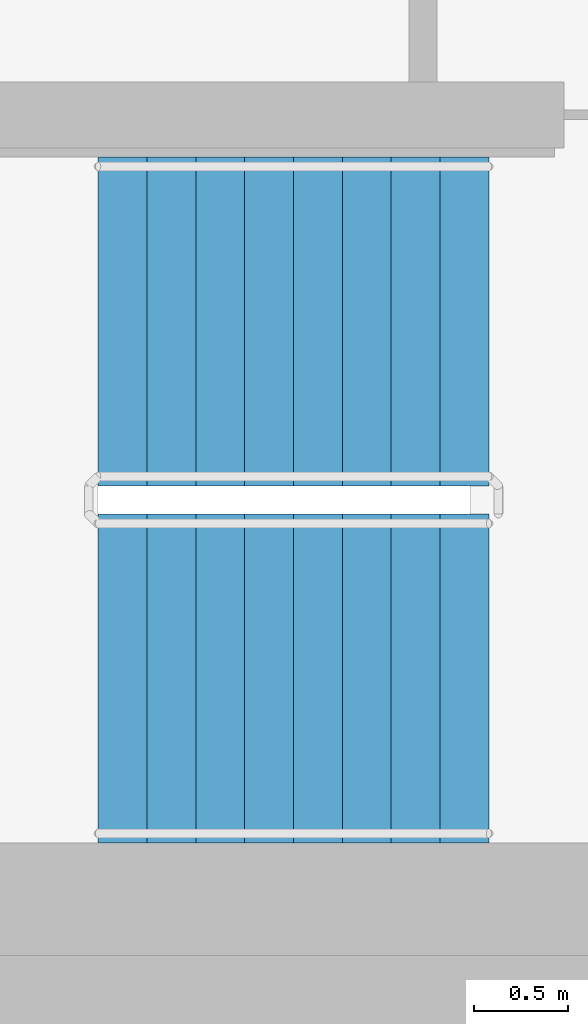
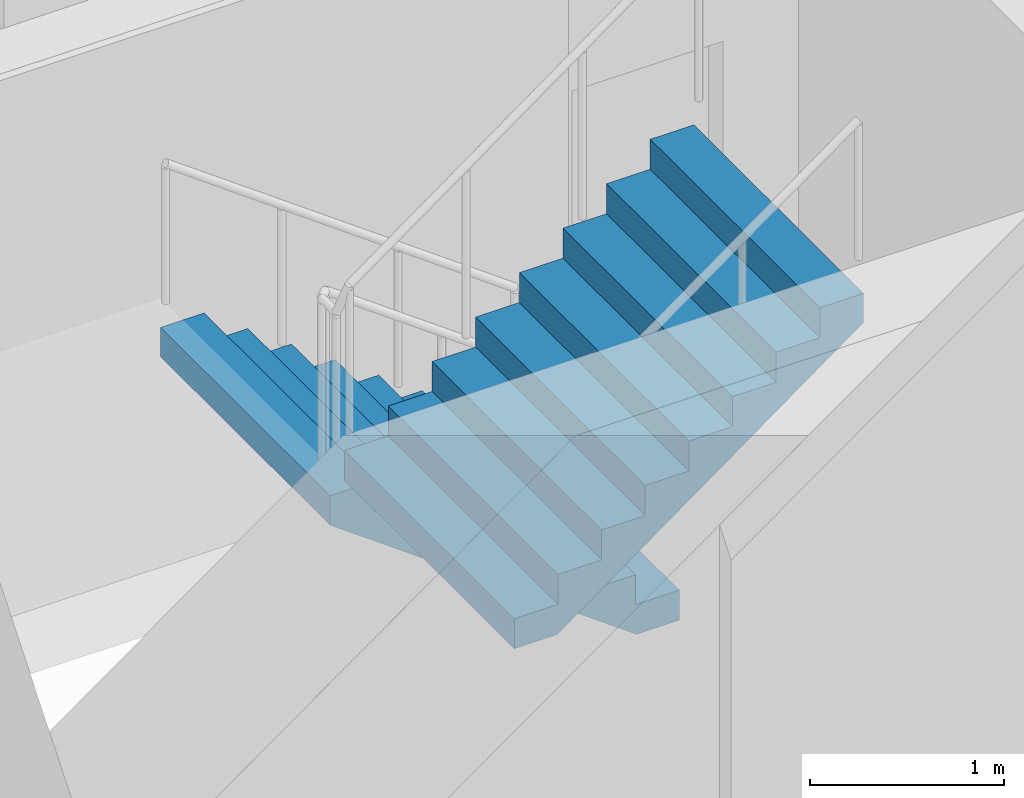
# One storey, part 12 of 18: 2 stair flights, 1 element without a shape of its own.
"""IFC4 building model written with IfcOpenShell, lengths in metres."""

from ifc_helpers import new_model, si_unit, direction, frame, origin, place, context, subcontext, project, spatial, faceted_brep, material, type_object, element, aggregate, save


model = new_model("IFC4")

# Units and contexts
model_context = context("Model", 3, precision=1e-05, world=origin(), true_north=direction((0.0, 1.0)))
body_context = subcontext(model_context, "Body", "Model", "MODEL_VIEW")
ifc_project = project(units=[si_unit("LENGTHUNIT", "METRE"), si_unit("AREAUNIT", "SQUARE_METRE"), si_unit("VOLUMEUNIT", "CUBIC_METRE"), si_unit("PLANEANGLEUNIT", "RADIAN"), si_unit("MASSUNIT", "GRAM", prefix="KILO")], contexts=[model_context])

# Site, building, storey
site_placement = place(None, origin())
site = spatial("IfcSite", under=ifc_project, at=site_placement, CompositionType="ELEMENT")
building_placement = place(site_placement, origin())
building = spatial("IfcBuilding", under=site, at=building_placement, Name="Ipe Terrace Towers", CompositionType="ELEMENT")
storey_placement = place(building_placement, frame((0.0, 0.0, 206.199951171875)))
storey = spatial("IfcBuildingStorey", under=building, at=storey_placement, Name="L57", CompositionType="ELEMENT", Elevation=206.199951171875)

# Stair, stair flights
ifc_material_1 = material(Name="Concrete C30/37", Category="concrete")
stair_type = type_object("IfcStairType", Name="Protected exit stair", PredefinedType="HALF_TURN_STAIR", material=ifc_material_1)
stair_placement = place(storey_placement, origin())
stair = element("IfcStair", 1, at=stair_placement, inside=storey, type_object=stair_type, Name="L57 Exit stair T1-C2", PredefinedType="HALF_TURN_STAIR")
ifc_material_2 = material(Name="Concrete C30/37", Category="concrete")
stair_flight_type = type_object("IfcStairFlightType", Name="Exit stair flight 1750", PredefinedType="STRAIGHT", material=ifc_material_2)
stair_flight_1_placement = place(storey_placement, frame((-45.699951171875, -2.77490234375, 0.0), z_axis=(0.0, 0.0, 1.0), x_axis=(-1.0, 0.0, 0.0)))
stair_flight_1 = element("IfcStairFlight", 2, at=stair_flight_1_placement, type_object=stair_flight_type, Name="T1-ST2 flight 1", NumberOfRisers=9, NumberOfTreads=8, PredefinedType="STRAIGHT", RiserHeight=0.188888889, TreadLength=0.26, context=body_context, shape_type="Brep", body=[
    faceted_brep([(0.255126953125, -0.875, 0.0), (2.080078125, -0.875, 1.325927734375), (2.080078125, -0.875, 1.51123046875), (1.820068359375, -0.875, 1.51123046875), (1.820068359375, -0.875, 1.322265625), (1.56005859375, -0.875, 1.322265625), (1.56005859375, -0.875, 1.13330078125), (1.300048828125, -0.875, 1.13330078125), (1.300048828125, -0.875, 0.9443359375), (1.0400390625, -0.875, 0.9443359375), (1.0400390625, -0.875, 0.755615234375), (0.780029296875, -0.875, 0.755615234375), (0.780029296875, -0.875, 0.566650390625), (0.52001953125, -0.875, 0.566650390625), (0.52001953125, -0.875, 0.377685546875), (0.260009765625, -0.875, 0.377685546875), (0.260009765625, -0.875, 0.18896484375), (0.0, -0.875, 0.18896484375), (0.0, -0.875, 0.0), (0.0, 0.875, 0.0), (0.0, 0.875, 0.18896484375), (0.260009765625, 0.875, 0.18896484375), (0.260009765625, 0.875, 0.377685546875), (0.52001953125, 0.875, 0.377685546875), (0.52001953125, 0.875, 0.566650390625), (0.780029296875, 0.875, 0.566650390625), (0.780029296875, 0.875, 0.755615234375), (1.0400390625, 0.875, 0.755615234375), (1.0400390625, 0.875, 0.9443359375), (1.300048828125, 0.875, 0.9443359375), (1.300048828125, 0.875, 1.13330078125), (1.56005859375, 0.875, 1.13330078125), (1.56005859375, 0.875, 1.322265625), (1.820068359375, 0.875, 1.322265625), (1.820068359375, 0.875, 1.51123046875), (2.080078125, 0.875, 1.51123046875), (2.080078125, 0.875, 1.325927734375), (0.255126953125, 0.875, 0.0), (0.0, -0.300048828125, 0.18896484375), (0.0, -0.1201171875, 0.18896484375), (0.0, -0.06005859375, 0.18896484375), (0.0, -0.030029296875, 0.18896484375), (0.0, -0.010009765625, 0.18896484375), (0.0, 0.0, 0.18896484375), (0.0, 0.010009765625, 0.18896484375), (0.0, 0.030029296875, 0.18896484375), (0.0, 0.06005859375, 0.18896484375), (0.0, 0.1201171875, 0.18896484375), (0.0, 0.300048828125, 0.18896484375), (0.0, 0.300048828125, 0.0), (0.0, 0.1201171875, 0.0), (0.0, 0.06005859375, 0.0), (0.0, 0.030029296875, 0.0), (0.0, 0.010009765625, 0.0), (0.0, 0.0, 0.0), (0.0, -0.010009765625, 0.0), (0.0, -0.030029296875, 0.0), (0.0, -0.06005859375, 0.0), (0.0, -0.1201171875, 0.0), (0.0, -0.300048828125, 0.0), (0.260009765625, -0.300048828125, 0.18896484375), (0.260009765625, -0.1201171875, 0.18896484375), (0.260009765625, -0.06005859375, 0.18896484375), (0.260009765625, -0.030029296875, 0.18896484375), (0.260009765625, -0.010009765625, 0.18896484375), (0.260009765625, 0.0, 0.18896484375), (0.260009765625, 0.010009765625, 0.18896484375), (0.260009765625, 0.030029296875, 0.18896484375), (0.260009765625, 0.06005859375, 0.18896484375), (0.260009765625, 0.1201171875, 0.18896484375), (0.260009765625, 0.300048828125, 0.18896484375), (0.260009765625, -0.300048828125, 0.377685546875), (0.260009765625, -0.1201171875, 0.377685546875), (0.260009765625, -0.06005859375, 0.377685546875), (0.260009765625, -0.030029296875, 0.377685546875), (0.260009765625, -0.010009765625, 0.377685546875), (0.260009765625, 0.0, 0.377685546875), (0.260009765625, 0.010009765625, 0.377685546875), (0.260009765625, 0.030029296875, 0.377685546875), (0.260009765625, 0.06005859375, 0.377685546875), (0.260009765625, 0.1201171875, 0.377685546875), (0.260009765625, 0.300048828125, 0.377685546875), (0.52001953125, -0.300048828125, 0.377685546875), (0.52001953125, -0.1201171875, 0.377685546875), (0.52001953125, -0.06005859375, 0.377685546875), (0.52001953125, -0.030029296875, 0.377685546875), (0.52001953125, -0.010009765625, 0.377685546875), (0.52001953125, 0.0, 0.377685546875), (0.52001953125, 0.010009765625, 0.377685546875), (0.52001953125, 0.030029296875, 0.377685546875), (0.52001953125, 0.06005859375, 0.377685546875), (0.52001953125, 0.1201171875, 0.377685546875), (0.52001953125, 0.300048828125, 0.377685546875), (0.52001953125, -0.300048828125, 0.566650390625), (0.52001953125, -0.1201171875, 0.566650390625), (0.52001953125, -0.06005859375, 0.566650390625), (0.52001953125, -0.030029296875, 0.566650390625), (0.52001953125, -0.010009765625, 0.566650390625), (0.52001953125, 0.0, 0.566650390625), (0.52001953125, 0.010009765625, 0.566650390625), (0.52001953125, 0.030029296875, 0.566650390625), (0.52001953125, 0.06005859375, 0.566650390625), (0.52001953125, 0.1201171875, 0.566650390625), (0.52001953125, 0.300048828125, 0.566650390625), (0.780029296875, -0.300048828125, 0.566650390625), (0.780029296875, -0.1201171875, 0.566650390625), (0.780029296875, -0.06005859375, 0.566650390625), (0.780029296875, -0.030029296875, 0.566650390625), (0.780029296875, -0.010009765625, 0.566650390625), (0.780029296875, 0.0, 0.566650390625), (0.780029296875, 0.010009765625, 0.566650390625), (0.780029296875, 0.030029296875, 0.566650390625), (0.780029296875, 0.06005859375, 0.566650390625), (0.780029296875, 0.1201171875, 0.566650390625), (0.780029296875, 0.300048828125, 0.566650390625), (0.780029296875, -0.300048828125, 0.755615234375), (0.780029296875, -0.1201171875, 0.755615234375), (0.780029296875, -0.06005859375, 0.755615234375), (0.780029296875, -0.030029296875, 0.755615234375), (0.780029296875, -0.010009765625, 0.755615234375), (0.780029296875, 0.0, 0.755615234375), (0.780029296875, 0.010009765625, 0.755615234375), (0.780029296875, 0.030029296875, 0.755615234375), (0.780029296875, 0.06005859375, 0.755615234375), (0.780029296875, 0.1201171875, 0.755615234375), (0.780029296875, 0.300048828125, 0.755615234375), (1.0400390625, -0.300048828125, 0.755615234375), (1.0400390625, -0.1201171875, 0.755615234375), (1.0400390625, -0.06005859375, 0.755615234375), (1.0400390625, -0.030029296875, 0.755615234375), (1.0400390625, -0.010009765625, 0.755615234375), (1.0400390625, 0.0, 0.755615234375), (1.0400390625, 0.010009765625, 0.755615234375), (1.0400390625, 0.030029296875, 0.755615234375), (1.0400390625, 0.06005859375, 0.755615234375), (1.0400390625, 0.1201171875, 0.755615234375), (1.0400390625, 0.300048828125, 0.755615234375), (1.0400390625, -0.300048828125, 0.9443359375), (1.0400390625, -0.1201171875, 0.9443359375), (1.0400390625, -0.06005859375, 0.9443359375), (1.0400390625, -0.030029296875, 0.9443359375), (1.0400390625, -0.010009765625, 0.9443359375), (1.0400390625, 0.0, 0.9443359375), (1.0400390625, 0.010009765625, 0.9443359375), (1.0400390625, 0.030029296875, 0.9443359375), (1.0400390625, 0.06005859375, 0.9443359375), (1.0400390625, 0.1201171875, 0.9443359375), (1.0400390625, 0.300048828125, 0.9443359375), (1.300048828125, -0.300048828125, 0.9443359375), (1.300048828125, -0.1201171875, 0.9443359375), (1.300048828125, -0.06005859375, 0.9443359375), (1.300048828125, -0.030029296875, 0.9443359375), (1.300048828125, -0.010009765625, 0.9443359375), (1.300048828125, 0.0, 0.9443359375), (1.300048828125, 0.010009765625, 0.9443359375), (1.300048828125, 0.030029296875, 0.9443359375), (1.300048828125, 0.06005859375, 0.9443359375), (1.300048828125, 0.1201171875, 0.9443359375), (1.300048828125, 0.300048828125, 0.9443359375), (1.300048828125, -0.300048828125, 1.13330078125), (1.300048828125, -0.1201171875, 1.13330078125), (1.300048828125, -0.06005859375, 1.13330078125), (1.300048828125, -0.030029296875, 1.13330078125), (1.300048828125, -0.010009765625, 1.13330078125), (1.300048828125, 0.0, 1.13330078125), (1.300048828125, 0.010009765625, 1.13330078125), (1.300048828125, 0.030029296875, 1.13330078125), (1.300048828125, 0.06005859375, 1.13330078125), (1.300048828125, 0.1201171875, 1.13330078125), (1.300048828125, 0.300048828125, 1.13330078125), (1.56005859375, -0.300048828125, 1.13330078125), (1.56005859375, -0.1201171875, 1.13330078125), (1.56005859375, -0.06005859375, 1.13330078125), (1.56005859375, -0.030029296875, 1.13330078125), (1.56005859375, -0.010009765625, 1.13330078125), (1.56005859375, 0.0, 1.13330078125), (1.56005859375, 0.010009765625, 1.13330078125), (1.56005859375, 0.030029296875, 1.13330078125), (1.56005859375, 0.06005859375, 1.13330078125), (1.56005859375, 0.1201171875, 1.13330078125), (1.56005859375, 0.300048828125, 1.13330078125), (1.56005859375, -0.300048828125, 1.322265625), (1.56005859375, -0.1201171875, 1.322265625), (1.56005859375, -0.06005859375, 1.322265625), (1.56005859375, -0.030029296875, 1.322265625), (1.56005859375, -0.010009765625, 1.322265625), (1.56005859375, 0.0, 1.322265625), (1.56005859375, 0.010009765625, 1.322265625), (1.56005859375, 0.030029296875, 1.322265625), (1.56005859375, 0.06005859375, 1.322265625), (1.56005859375, 0.1201171875, 1.322265625), (1.56005859375, 0.300048828125, 1.322265625), (1.820068359375, -0.300048828125, 1.322265625), (1.820068359375, -0.1201171875, 1.322265625), (1.820068359375, -0.06005859375, 1.322265625), (1.820068359375, -0.030029296875, 1.322265625), (1.820068359375, -0.010009765625, 1.322265625), (1.820068359375, 0.0, 1.322265625), (1.820068359375, 0.010009765625, 1.322265625), (1.820068359375, 0.030029296875, 1.322265625), (1.820068359375, 0.06005859375, 1.322265625), (1.820068359375, 0.1201171875, 1.322265625), (1.820068359375, 0.300048828125, 1.322265625), (1.820068359375, -0.300048828125, 1.51123046875), (1.820068359375, -0.1201171875, 1.51123046875), (1.820068359375, -0.06005859375, 1.51123046875), (1.820068359375, -0.030029296875, 1.51123046875), (1.820068359375, -0.010009765625, 1.51123046875), (1.820068359375, 0.0, 1.51123046875), (1.820068359375, 0.010009765625, 1.51123046875), (1.820068359375, 0.030029296875, 1.51123046875), (1.820068359375, 0.06005859375, 1.51123046875), (1.820068359375, 0.1201171875, 1.51123046875), (1.820068359375, 0.300048828125, 1.51123046875), (2.080078125, -0.300048828125, 1.51123046875), (2.080078125, -0.1201171875, 1.51123046875), (2.080078125, -0.06005859375, 1.51123046875), (2.080078125, -0.030029296875, 1.51123046875), (2.080078125, -0.010009765625, 1.51123046875), (2.080078125, 0.0, 1.51123046875), (2.080078125, 0.010009765625, 1.51123046875), (2.080078125, 0.030029296875, 1.51123046875), (2.080078125, 0.06005859375, 1.51123046875), (2.080078125, 0.1201171875, 1.51123046875), (2.080078125, 0.300048828125, 1.51123046875), (2.080078125, -0.300048828125, 1.325927734375), (2.080078125, -0.1201171875, 1.325927734375), (2.080078125, -0.06005859375, 1.325927734375), (2.080078125, -0.030029296875, 1.325927734375), (2.080078125, -0.010009765625, 1.325927734375), (2.080078125, 0.0, 1.325927734375), (2.080078125, 0.010009765625, 1.325927734375), (2.080078125, 0.030029296875, 1.325927734375), (2.080078125, 0.06005859375, 1.325927734375), (2.080078125, 0.1201171875, 1.325927734375), (2.080078125, 0.300048828125, 1.325927734375), (0.255126953125, -0.300048828125, 0.0), (0.255126953125, -0.1201171875, 0.0), (0.255126953125, -0.06005859375, 0.0), (0.255126953125, -0.030029296875, 0.0), (0.255126953125, -0.010009765625, 0.0), (0.255126953125, 0.0, 0.0), (0.255126953125, 0.010009765625, 0.0), (0.255126953125, 0.030029296875, 0.0), (0.255126953125, 0.06005859375, 0.0), (0.255126953125, 0.1201171875, 0.0), (0.255126953125, 0.300048828125, 0.0)], [[[0, 1, 2, 3, 4, 5, 6, 7, 8, 9, 10, 11, 12, 13, 14, 15, 16, 17, 18]], [[19, 20, 21, 22, 23, 24, 25, 26, 27, 28, 29, 30, 31, 32, 33, 34, 35, 36, 37]], [[17, 38, 39, 40, 41, 42, 43, 44, 45, 46, 47, 48, 20, 19, 49, 50, 51, 52, 53, 54, 55, 56, 57, 58, 59, 18]], [[16, 60, 61, 62, 63, 64, 65, 66, 67, 68, 69, 70, 21, 20, 48, 47, 46, 45, 44, 43, 42, 41, 40, 39, 38, 17]], [[15, 71, 72, 73, 74, 75, 76, 77, 78, 79, 80, 81, 22, 21, 70, 69, 68, 67, 66, 65, 64, 63, 62, 61, 60, 16]], [[14, 82, 83, 84, 85, 86, 87, 88, 89, 90, 91, 92, 23, 22, 81, 80, 79, 78, 77, 76, 75, 74, 73, 72, 71, 15]], [[13, 93, 94, 95, 96, 97, 98, 99, 100, 101, 102, 103, 24, 23, 92, 91, 90, 89, 88, 87, 86, 85, 84, 83, 82, 14]], [[12, 104, 105, 106, 107, 108, 109, 110, 111, 112, 113, 114, 25, 24, 103, 102, 101, 100, 99, 98, 97, 96, 95, 94, 93, 13]], [[11, 115, 116, 117, 118, 119, 120, 121, 122, 123, 124, 125, 26, 25, 114, 113, 112, 111, 110, 109, 108, 107, 106, 105, 104, 12]], [[10, 126, 127, 128, 129, 130, 131, 132, 133, 134, 135, 136, 27, 26, 125, 124, 123, 122, 121, 120, 119, 118, 117, 116, 115, 11]], [[9, 137, 138, 139, 140, 141, 142, 143, 144, 145, 146, 147, 28, 27, 136, 135, 134, 133, 132, 131, 130, 129, 128, 127, 126, 10]], [[8, 148, 149, 150, 151, 152, 153, 154, 155, 156, 157, 158, 29, 28, 147, 146, 145, 144, 143, 142, 141, 140, 139, 138, 137, 9]], [[7, 159, 160, 161, 162, 163, 164, 165, 166, 167, 168, 169, 30, 29, 158, 157, 156, 155, 154, 153, 152, 151, 150, 149, 148, 8]], [[6, 170, 171, 172, 173, 174, 175, 176, 177, 178, 179, 180, 31, 30, 169, 168, 167, 166, 165, 164, 163, 162, 161, 160, 159, 7]], [[5, 181, 182, 183, 184, 185, 186, 187, 188, 189, 190, 191, 32, 31, 180, 179, 178, 177, 176, 175, 174, 173, 172, 171, 170, 6]], [[4, 192, 193, 194, 195, 196, 197, 198, 199, 200, 201, 202, 33, 32, 191, 190, 189, 188, 187, 186, 185, 184, 183, 182, 181, 5]], [[3, 203, 204, 205, 206, 207, 208, 209, 210, 211, 212, 213, 34, 33, 202, 201, 200, 199, 198, 197, 196, 195, 194, 193, 192, 4]], [[2, 214, 215, 216, 217, 218, 219, 220, 221, 222, 223, 224, 35, 34, 213, 212, 211, 210, 209, 208, 207, 206, 205, 204, 203, 3]], [[1, 225, 226, 227, 228, 229, 230, 231, 232, 233, 234, 235, 36, 35, 224, 223, 222, 221, 220, 219, 218, 217, 216, 215, 214, 2]], [[0, 236, 237, 238, 239, 240, 241, 242, 243, 244, 245, 246, 37, 36, 235, 234, 233, 232, 231, 230, 229, 228, 227, 226, 225, 1]], [[18, 59, 58, 57, 56, 55, 54, 53, 52, 51, 50, 49, 19, 37, 246, 245, 244, 243, 242, 241, 240, 239, 238, 237, 236, 0]]]),
])
stair_flight_2_placement = place(storey_placement, frame((-47.780029296875, -4.675048828125, 1.699951171875), z_axis=(0.0, 0.0, 1.0), x_axis=(1.0, 0.0, 0.0)))
stair_flight_2 = element("IfcStairFlight", 3, at=stair_flight_2_placement, type_object=stair_flight_type, Name="T1-ST2 flight 2", NumberOfRisers=9, NumberOfTreads=8, PredefinedType="STRAIGHT", RiserHeight=0.188888889, TreadLength=0.26, context=body_context, shape_type="Brep", body=[
    faceted_brep([(0.255126953125, -0.875, 0.0), (2.080078125, -0.875, 1.325927734375), (2.080078125, -0.875, 1.51123046875), (1.820068359375, -0.875, 1.51123046875), (1.820068359375, -0.875, 1.322265625), (1.56005859375, -0.875, 1.322265625), (1.56005859375, -0.875, 1.13330078125), (1.300048828125, -0.875, 1.13330078125), (1.300048828125, -0.875, 0.9443359375), (1.0400390625, -0.875, 0.9443359375), (1.0400390625, -0.875, 0.755615234375), (0.780029296875, -0.875, 0.755615234375), (0.780029296875, -0.875, 0.566650390625), (0.52001953125, -0.875, 0.566650390625), (0.52001953125, -0.875, 0.377685546875), (0.260009765625, -0.875, 0.377685546875), (0.260009765625, -0.875, 0.18896484375), (0.0, -0.875, 0.18896484375), (0.0, -0.875, 0.0), (0.0, 0.875, 0.0), (0.0, 0.875, 0.18896484375), (0.260009765625, 0.875, 0.18896484375), (0.260009765625, 0.875, 0.377685546875), (0.52001953125, 0.875, 0.377685546875), (0.52001953125, 0.875, 0.566650390625), (0.780029296875, 0.875, 0.566650390625), (0.780029296875, 0.875, 0.755615234375), (1.0400390625, 0.875, 0.755615234375), (1.0400390625, 0.875, 0.9443359375), (1.300048828125, 0.875, 0.9443359375), (1.300048828125, 0.875, 1.13330078125), (1.56005859375, 0.875, 1.13330078125), (1.56005859375, 0.875, 1.322265625), (1.820068359375, 0.875, 1.322265625), (1.820068359375, 0.875, 1.51123046875), (2.080078125, 0.875, 1.51123046875), (2.080078125, 0.875, 1.325927734375), (0.255126953125, 0.875, 0.0), (0.0, -0.300048828125, 0.18896484375), (0.0, -0.1201171875, 0.18896484375), (0.0, -0.06005859375, 0.18896484375), (0.0, -0.030029296875, 0.18896484375), (0.0, -0.010009765625, 0.18896484375), (0.0, 0.0, 0.18896484375), (0.0, 0.010009765625, 0.18896484375), (0.0, 0.030029296875, 0.18896484375), (0.0, 0.06005859375, 0.18896484375), (0.0, 0.1201171875, 0.18896484375), (0.0, 0.300048828125, 0.18896484375), (0.0, 0.300048828125, 0.0), (0.0, 0.1201171875, 0.0), (0.0, 0.06005859375, 0.0), (0.0, 0.030029296875, 0.0), (0.0, 0.010009765625, 0.0), (0.0, 0.0, 0.0), (0.0, -0.010009765625, 0.0), (0.0, -0.030029296875, 0.0), (0.0, -0.06005859375, 0.0), (0.0, -0.1201171875, 0.0), (0.0, -0.300048828125, 0.0), (0.260009765625, -0.300048828125, 0.18896484375), (0.260009765625, -0.1201171875, 0.18896484375), (0.260009765625, -0.06005859375, 0.18896484375), (0.260009765625, -0.030029296875, 0.18896484375), (0.260009765625, -0.010009765625, 0.18896484375), (0.260009765625, 0.0, 0.18896484375), (0.260009765625, 0.010009765625, 0.18896484375), (0.260009765625, 0.030029296875, 0.18896484375), (0.260009765625, 0.06005859375, 0.18896484375), (0.260009765625, 0.1201171875, 0.18896484375), (0.260009765625, 0.300048828125, 0.18896484375), (0.260009765625, -0.300048828125, 0.377685546875), (0.260009765625, -0.1201171875, 0.377685546875), (0.260009765625, -0.06005859375, 0.377685546875), (0.260009765625, -0.030029296875, 0.377685546875), (0.260009765625, -0.010009765625, 0.377685546875), (0.260009765625, 0.0, 0.377685546875), (0.260009765625, 0.010009765625, 0.377685546875), (0.260009765625, 0.030029296875, 0.377685546875), (0.260009765625, 0.06005859375, 0.377685546875), (0.260009765625, 0.1201171875, 0.377685546875), (0.260009765625, 0.300048828125, 0.377685546875), (0.52001953125, -0.300048828125, 0.377685546875), (0.52001953125, -0.1201171875, 0.377685546875), (0.52001953125, -0.06005859375, 0.377685546875), (0.52001953125, -0.030029296875, 0.377685546875), (0.52001953125, -0.010009765625, 0.377685546875), (0.52001953125, 0.0, 0.377685546875), (0.52001953125, 0.010009765625, 0.377685546875), (0.52001953125, 0.030029296875, 0.377685546875), (0.52001953125, 0.06005859375, 0.377685546875), (0.52001953125, 0.1201171875, 0.377685546875), (0.52001953125, 0.300048828125, 0.377685546875), (0.52001953125, -0.300048828125, 0.566650390625), (0.52001953125, -0.1201171875, 0.566650390625), (0.52001953125, -0.06005859375, 0.566650390625), (0.52001953125, -0.030029296875, 0.566650390625), (0.52001953125, -0.010009765625, 0.566650390625), (0.52001953125, 0.0, 0.566650390625), (0.52001953125, 0.010009765625, 0.566650390625), (0.52001953125, 0.030029296875, 0.566650390625), (0.52001953125, 0.06005859375, 0.566650390625), (0.52001953125, 0.1201171875, 0.566650390625), (0.52001953125, 0.300048828125, 0.566650390625), (0.780029296875, -0.300048828125, 0.566650390625), (0.780029296875, -0.1201171875, 0.566650390625), (0.780029296875, -0.06005859375, 0.566650390625), (0.780029296875, -0.030029296875, 0.566650390625), (0.780029296875, -0.010009765625, 0.566650390625), (0.780029296875, 0.0, 0.566650390625), (0.780029296875, 0.010009765625, 0.566650390625), (0.780029296875, 0.030029296875, 0.566650390625), (0.780029296875, 0.06005859375, 0.566650390625), (0.780029296875, 0.1201171875, 0.566650390625), (0.780029296875, 0.300048828125, 0.566650390625), (0.780029296875, -0.300048828125, 0.755615234375), (0.780029296875, -0.1201171875, 0.755615234375), (0.780029296875, -0.06005859375, 0.755615234375), (0.780029296875, -0.030029296875, 0.755615234375), (0.780029296875, -0.010009765625, 0.755615234375), (0.780029296875, 0.0, 0.755615234375), (0.780029296875, 0.010009765625, 0.755615234375), (0.780029296875, 0.030029296875, 0.755615234375), (0.780029296875, 0.06005859375, 0.755615234375), (0.780029296875, 0.1201171875, 0.755615234375), (0.780029296875, 0.300048828125, 0.755615234375), (1.0400390625, -0.300048828125, 0.755615234375), (1.0400390625, -0.1201171875, 0.755615234375), (1.0400390625, -0.06005859375, 0.755615234375), (1.0400390625, -0.030029296875, 0.755615234375), (1.0400390625, -0.010009765625, 0.755615234375), (1.0400390625, 0.0, 0.755615234375), (1.0400390625, 0.010009765625, 0.755615234375), (1.0400390625, 0.030029296875, 0.755615234375), (1.0400390625, 0.06005859375, 0.755615234375), (1.0400390625, 0.1201171875, 0.755615234375), (1.0400390625, 0.300048828125, 0.755615234375), (1.0400390625, -0.300048828125, 0.9443359375), (1.0400390625, -0.1201171875, 0.9443359375), (1.0400390625, -0.06005859375, 0.9443359375), (1.0400390625, -0.030029296875, 0.9443359375), (1.0400390625, -0.010009765625, 0.9443359375), (1.0400390625, 0.0, 0.9443359375), (1.0400390625, 0.010009765625, 0.9443359375), (1.0400390625, 0.030029296875, 0.9443359375), (1.0400390625, 0.06005859375, 0.9443359375), (1.0400390625, 0.1201171875, 0.9443359375), (1.0400390625, 0.300048828125, 0.9443359375), (1.300048828125, -0.300048828125, 0.9443359375), (1.300048828125, -0.1201171875, 0.9443359375), (1.300048828125, -0.06005859375, 0.9443359375), (1.300048828125, -0.030029296875, 0.9443359375), (1.300048828125, -0.010009765625, 0.9443359375), (1.300048828125, 0.0, 0.9443359375), (1.300048828125, 0.010009765625, 0.9443359375), (1.300048828125, 0.030029296875, 0.9443359375), (1.300048828125, 0.06005859375, 0.9443359375), (1.300048828125, 0.1201171875, 0.9443359375), (1.300048828125, 0.300048828125, 0.9443359375), (1.300048828125, -0.300048828125, 1.13330078125), (1.300048828125, -0.1201171875, 1.13330078125), (1.300048828125, -0.06005859375, 1.13330078125), (1.300048828125, -0.030029296875, 1.13330078125), (1.300048828125, -0.010009765625, 1.13330078125), (1.300048828125, 0.0, 1.13330078125), (1.300048828125, 0.010009765625, 1.13330078125), (1.300048828125, 0.030029296875, 1.13330078125), (1.300048828125, 0.06005859375, 1.13330078125), (1.300048828125, 0.1201171875, 1.13330078125), (1.300048828125, 0.300048828125, 1.13330078125), (1.56005859375, -0.300048828125, 1.13330078125), (1.56005859375, -0.1201171875, 1.13330078125), (1.56005859375, -0.06005859375, 1.13330078125), (1.56005859375, -0.030029296875, 1.13330078125), (1.56005859375, -0.010009765625, 1.13330078125), (1.56005859375, 0.0, 1.13330078125), (1.56005859375, 0.010009765625, 1.13330078125), (1.56005859375, 0.030029296875, 1.13330078125), (1.56005859375, 0.06005859375, 1.13330078125), (1.56005859375, 0.1201171875, 1.13330078125), (1.56005859375, 0.300048828125, 1.13330078125), (1.56005859375, -0.300048828125, 1.322265625), (1.56005859375, -0.1201171875, 1.322265625), (1.56005859375, -0.06005859375, 1.322265625), (1.56005859375, -0.030029296875, 1.322265625), (1.56005859375, -0.010009765625, 1.322265625), (1.56005859375, 0.0, 1.322265625), (1.56005859375, 0.010009765625, 1.322265625), (1.56005859375, 0.030029296875, 1.322265625), (1.56005859375, 0.06005859375, 1.322265625), (1.56005859375, 0.1201171875, 1.322265625), (1.56005859375, 0.300048828125, 1.322265625), (1.820068359375, -0.300048828125, 1.322265625), (1.820068359375, -0.1201171875, 1.322265625), (1.820068359375, -0.06005859375, 1.322265625), (1.820068359375, -0.030029296875, 1.322265625), (1.820068359375, -0.010009765625, 1.322265625), (1.820068359375, 0.0, 1.322265625), (1.820068359375, 0.010009765625, 1.322265625), (1.820068359375, 0.030029296875, 1.322265625), (1.820068359375, 0.06005859375, 1.322265625), (1.820068359375, 0.1201171875, 1.322265625), (1.820068359375, 0.300048828125, 1.322265625), (1.820068359375, -0.300048828125, 1.51123046875), (1.820068359375, -0.1201171875, 1.51123046875), (1.820068359375, -0.06005859375, 1.51123046875), (1.820068359375, -0.030029296875, 1.51123046875), (1.820068359375, -0.010009765625, 1.51123046875), (1.820068359375, 0.0, 1.51123046875), (1.820068359375, 0.010009765625, 1.51123046875), (1.820068359375, 0.030029296875, 1.51123046875), (1.820068359375, 0.06005859375, 1.51123046875), (1.820068359375, 0.1201171875, 1.51123046875), (1.820068359375, 0.300048828125, 1.51123046875), (2.080078125, -0.300048828125, 1.51123046875), (2.080078125, -0.1201171875, 1.51123046875), (2.080078125, -0.06005859375, 1.51123046875), (2.080078125, -0.030029296875, 1.51123046875), (2.080078125, -0.010009765625, 1.51123046875), (2.080078125, 0.0, 1.51123046875), (2.080078125, 0.010009765625, 1.51123046875), (2.080078125, 0.030029296875, 1.51123046875), (2.080078125, 0.06005859375, 1.51123046875), (2.080078125, 0.1201171875, 1.51123046875), (2.080078125, 0.300048828125, 1.51123046875), (2.080078125, -0.300048828125, 1.325927734375), (2.080078125, -0.1201171875, 1.325927734375), (2.080078125, -0.06005859375, 1.325927734375), (2.080078125, -0.030029296875, 1.325927734375), (2.080078125, -0.010009765625, 1.325927734375), (2.080078125, 0.0, 1.325927734375), (2.080078125, 0.010009765625, 1.325927734375), (2.080078125, 0.030029296875, 1.325927734375), (2.080078125, 0.06005859375, 1.325927734375), (2.080078125, 0.1201171875, 1.325927734375), (2.080078125, 0.300048828125, 1.325927734375), (0.255126953125, -0.300048828125, 0.0), (0.255126953125, -0.1201171875, 0.0), (0.255126953125, -0.06005859375, 0.0), (0.255126953125, -0.030029296875, 0.0), (0.255126953125, -0.010009765625, 0.0), (0.255126953125, 0.0, 0.0), (0.255126953125, 0.010009765625, 0.0), (0.255126953125, 0.030029296875, 0.0), (0.255126953125, 0.06005859375, 0.0), (0.255126953125, 0.1201171875, 0.0), (0.255126953125, 0.300048828125, 0.0)], [[[0, 1, 2, 3, 4, 5, 6, 7, 8, 9, 10, 11, 12, 13, 14, 15, 16, 17, 18]], [[19, 20, 21, 22, 23, 24, 25, 26, 27, 28, 29, 30, 31, 32, 33, 34, 35, 36, 37]], [[17, 38, 39, 40, 41, 42, 43, 44, 45, 46, 47, 48, 20, 19, 49, 50, 51, 52, 53, 54, 55, 56, 57, 58, 59, 18]], [[16, 60, 61, 62, 63, 64, 65, 66, 67, 68, 69, 70, 21, 20, 48, 47, 46, 45, 44, 43, 42, 41, 40, 39, 38, 17]], [[15, 71, 72, 73, 74, 75, 76, 77, 78, 79, 80, 81, 22, 21, 70, 69, 68, 67, 66, 65, 64, 63, 62, 61, 60, 16]], [[14, 82, 83, 84, 85, 86, 87, 88, 89, 90, 91, 92, 23, 22, 81, 80, 79, 78, 77, 76, 75, 74, 73, 72, 71, 15]], [[13, 93, 94, 95, 96, 97, 98, 99, 100, 101, 102, 103, 24, 23, 92, 91, 90, 89, 88, 87, 86, 85, 84, 83, 82, 14]], [[12, 104, 105, 106, 107, 108, 109, 110, 111, 112, 113, 114, 25, 24, 103, 102, 101, 100, 99, 98, 97, 96, 95, 94, 93, 13]], [[11, 115, 116, 117, 118, 119, 120, 121, 122, 123, 124, 125, 26, 25, 114, 113, 112, 111, 110, 109, 108, 107, 106, 105, 104, 12]], [[10, 126, 127, 128, 129, 130, 131, 132, 133, 134, 135, 136, 27, 26, 125, 124, 123, 122, 121, 120, 119, 118, 117, 116, 115, 11]], [[9, 137, 138, 139, 140, 141, 142, 143, 144, 145, 146, 147, 28, 27, 136, 135, 134, 133, 132, 131, 130, 129, 128, 127, 126, 10]], [[8, 148, 149, 150, 151, 152, 153, 154, 155, 156, 157, 158, 29, 28, 147, 146, 145, 144, 143, 142, 141, 140, 139, 138, 137, 9]], [[7, 159, 160, 161, 162, 163, 164, 165, 166, 167, 168, 169, 30, 29, 158, 157, 156, 155, 154, 153, 152, 151, 150, 149, 148, 8]], [[6, 170, 171, 172, 173, 174, 175, 176, 177, 178, 179, 180, 31, 30, 169, 168, 167, 166, 165, 164, 163, 162, 161, 160, 159, 7]], [[5, 181, 182, 183, 184, 185, 186, 187, 188, 189, 190, 191, 32, 31, 180, 179, 178, 177, 176, 175, 174, 173, 172, 171, 170, 6]], [[4, 192, 193, 194, 195, 196, 197, 198, 199, 200, 201, 202, 33, 32, 191, 190, 189, 188, 187, 186, 185, 184, 183, 182, 181, 5]], [[3, 203, 204, 205, 206, 207, 208, 209, 210, 211, 212, 213, 34, 33, 202, 201, 200, 199, 198, 197, 196, 195, 194, 193, 192, 4]], [[2, 214, 215, 216, 217, 218, 219, 220, 221, 222, 223, 224, 35, 34, 213, 212, 211, 210, 209, 208, 207, 206, 205, 204, 203, 3]], [[1, 225, 226, 227, 228, 229, 230, 231, 232, 233, 234, 235, 36, 35, 224, 223, 222, 221, 220, 219, 218, 217, 216, 215, 214, 2]], [[0, 236, 237, 238, 239, 240, 241, 242, 243, 244, 245, 246, 37, 36, 235, 234, 233, 232, 231, 230, 229, 228, 227, 226, 225, 1]], [[18, 59, 58, 57, 56, 55, 54, 53, 52, 51, 50, 49, 19, 37, 246, 245, 244, 243, 242, 241, 240, 239, 238, 237, 236, 0]]]),
])
aggregate(stair, [stair_flight_1, stair_flight_2])

save(model, "model.ifc")
